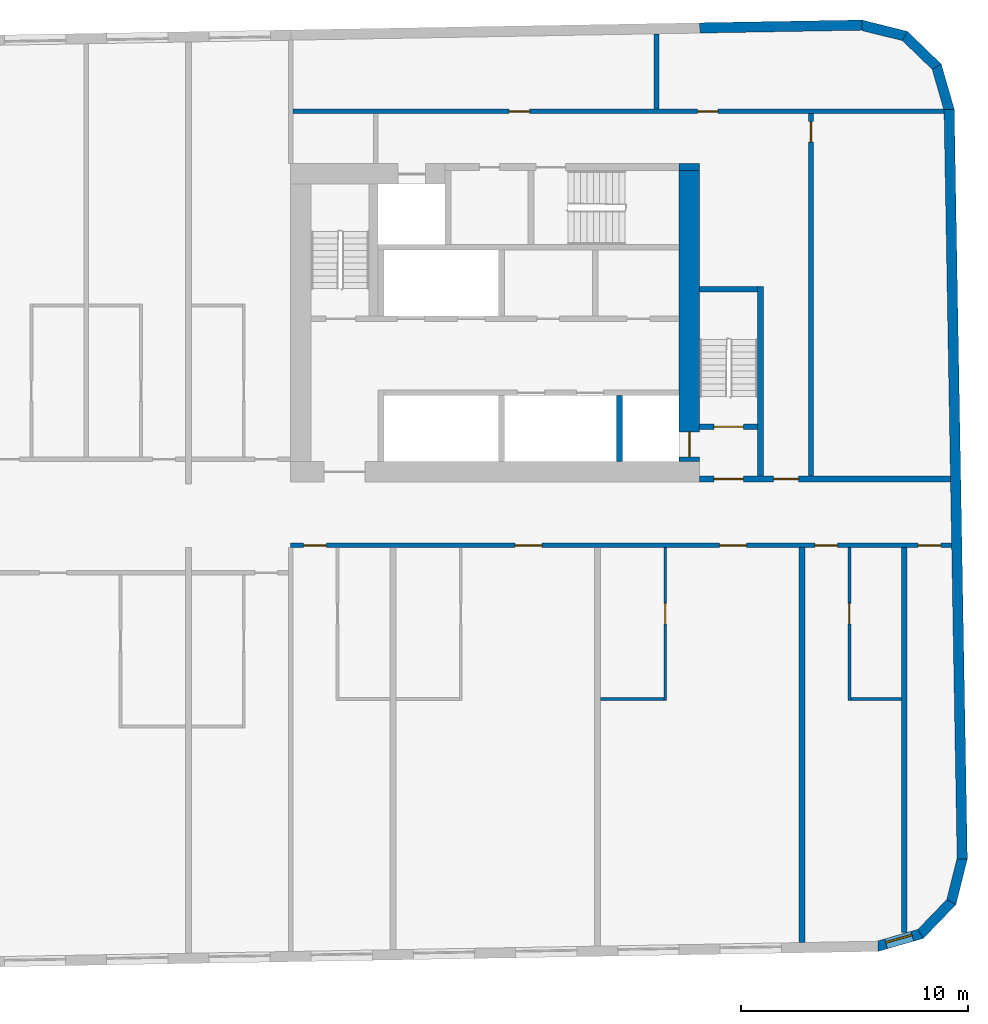
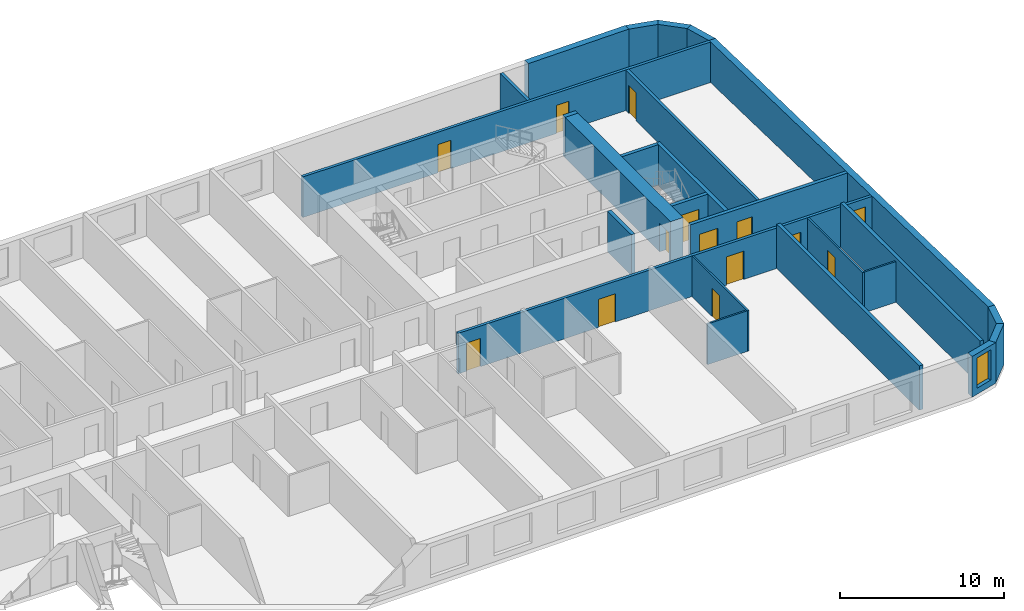
# One storey, part 7 of 11: 25 walls, 14 doors, 1 window, 15 openings.
"""IFC4 building model written with IfcOpenShell, lengths in metres."""

import ifcopenshell
import ifcopenshell.guid

model = None  # the IFC model being written
_history = None  # IfcOwnerHistory: only IFC2X3 demands one
_inside = {}  # id of a spatial element -> (the spatial element, [elements in it])
_under = {}  # id of a project, library or spatial element -> (it, [spatial elements below it])
_declared = {}  # id of a project -> (the project, [libraries it declares])
_typed = {}  # id of a type object -> (the type object, [elements of that type])
_made_of = {}  # id of a material, layer set ... -> (it, [elements and type objects made of it])


def new_model(schema):
    """Start an empty IFC model of exactly this schema.

    Asked for "IFC4X3", IfcOpenShell would pick the latest addendum, in which some entities
    have other attributes; the version numbers below select the first issue.
    IFC2X3 requires an IfcOwnerHistory on every rooted entity: one is made here for all.
    """
    global model, _history
    if schema == "IFC4X3":
        model = ifcopenshell.file(schema_version=(4, 3, 0, 0))
    else:
        model = ifcopenshell.file(schema=schema)
    _inside.clear()
    _under.clear()
    _declared.clear()
    _typed.clear()
    _made_of.clear()
    _history = None
    if model.schema == "IFC2X3":
        org = make("IfcOrganization", Name="unknown")
        user = make(
            "IfcPersonAndOrganization",
            ThePerson=make("IfcPerson", FamilyName="unknown"),
            TheOrganization=org,
        )
        app = make(
            "IfcApplication",
            ApplicationDeveloper=org,
            Version="unknown",
            ApplicationFullName="unknown",
            ApplicationIdentifier="unknown",
        )
        _history = make(
            "IfcOwnerHistory",
            OwningUser=user,
            OwningApplication=app,
            ChangeAction="ADDED",
            CreationDate=0,
        )
    return model


def make(cls, **values):
    """One entity of the class cls with the attributes given. An attribute that is None is left unset."""
    return model.create_entity(
        cls, **{name: value for name, value in values.items() if value is not None}
    )


def rooted(cls, **values):
    """An entity with a GlobalId (a new one), such as an element, a storey or a relation."""
    return make(cls, GlobalId=ifcopenshell.guid.new(), OwnerHistory=_history, **values)


def si_unit(unit_type, name, prefix=None):
    """IfcSIUnit, for example si_unit("LENGTHUNIT", "METRE", prefix="MILLI")."""
    return make("IfcSIUnit", UnitType=unit_type, Prefix=prefix, Name=name)


def assignment(units):
    """IfcUnitAssignment: the units of a project."""
    return None if units is None else make("IfcUnitAssignment", Units=units)


def point(xyz):
    """IfcCartesianPoint."""
    return None if xyz is None else make("IfcCartesianPoint", Coordinates=xyz)


def direction(xyz):
    """IfcDirection."""
    return None if xyz is None else make("IfcDirection", DirectionRatios=xyz)


def frame(location, z_axis=None, x_axis=None):
    """IfcAxis2Placement3D, a coordinate frame: its origin and axes. An axis left out is left unset."""
    return make(
        "IfcAxis2Placement3D",
        Location=point(location),
        Axis=direction(z_axis),
        RefDirection=direction(x_axis),
    )


def frame_2d(location, x_axis=None):
    """IfcAxis2Placement2D, a coordinate frame in the plane: its origin and x axis."""
    return make(
        "IfcAxis2Placement2D", Location=point(location), RefDirection=direction(x_axis)
    )


def origin():
    """The frame at (0, 0, 0) with its axes left unset."""
    return frame((0.0, 0.0, 0.0))


def place(relative_to, where):
    """IfcLocalPlacement: puts the frame where relative to a parent placement (None: the world)."""
    return make(
        "IfcLocalPlacement", PlacementRelTo=relative_to, RelativePlacement=where
    )


def context(
    kind, dimensions, precision=None, world=None, true_north=None, identifier=None
):
    """IfcGeometricRepresentationContext, for example the 3D "Model" context."""
    return make(
        "IfcGeometricRepresentationContext",
        ContextIdentifier=identifier,
        ContextType=kind,
        CoordinateSpaceDimension=dimensions,
        Precision=precision,
        WorldCoordinateSystem=world,
        TrueNorth=true_north,
    )


def subcontext(parent, identifier, kind, view, scale=None):
    """IfcGeometricRepresentationSubContext, for example "Body" below "Model"."""
    return make(
        "IfcGeometricRepresentationSubContext",
        ContextIdentifier=identifier,
        ContextType=kind,
        ParentContext=parent,
        TargetScale=scale,
        TargetView=view,
    )


def project(units=None, contexts=None):
    """IfcProject with its units and contexts."""
    return rooted(
        "IfcProject",
        Name="project",
        RepresentationContexts=contexts,
        UnitsInContext=assignment(units),
    )


def spatial(cls, under=None, at=None, **own):
    """A site, building, storey or space (cls), placed at a placement, below another one or the project."""
    s = rooted(cls, ObjectPlacement=at, **own)
    if under is not None:
        _under.setdefault(under.id(), (under, []))[1].append(s)
    return s


def polyline(points):
    """IfcPolyline through the points."""
    return make("IfcPolyline", Points=[point(p) for p in points])


def profile(cls, at=None, kind="AREA", **sizes):
    """A parametric profile (cls). Its sizes go by their IFC names, for example OverallWidth=200.0."""
    return make(cls, ProfileType=kind, Position=at, **sizes)


def rectangle(**sizes):
    """IfcRectangleProfileDef."""
    return profile("IfcRectangleProfileDef", **sizes)


def outline(outer, holes=None, kind="AREA"):
    """IfcArbitraryClosedProfileDef: a profile drawn as a closed curve; with holes, ...WithVoids."""
    if holes is None:
        return make("IfcArbitraryClosedProfileDef", ProfileType=kind, OuterCurve=outer)
    return make(
        "IfcArbitraryProfileDefWithVoids",
        ProfileType=kind,
        OuterCurve=outer,
        InnerCurves=holes,
    )


def extrude(swept, where, along, depth):
    """IfcExtrudedAreaSolid: the profile swept, set in the frame where, extruded along a direction by depth."""
    return make(
        "IfcExtrudedAreaSolid",
        SweptArea=swept,
        Position=where,
        ExtrudedDirection=direction(along),
        Depth=depth,
    )


def shape(context_of_items, identifier, shape_type, items):
    """IfcShapeRepresentation: the items that make up one representation, for example the "Body"."""
    return make(
        "IfcShapeRepresentation",
        ContextOfItems=context_of_items,
        RepresentationIdentifier=identifier,
        RepresentationType=shape_type,
        Items=items,
    )


def material(Name=None, Category=None):
    """IfcMaterial."""
    return make("IfcMaterial", Name=Name, Category=Category)


def layer(
    of_material, thickness, ventilated=None, Name=None, Category=None, Priority=None
):
    """IfcMaterialLayer: one layer of a wall or slab, of a material (None: an air gap)."""
    return make(
        "IfcMaterialLayer",
        Material=of_material,
        LayerThickness=thickness,
        IsVentilated=ventilated,
        Name=Name,
        Category=Category,
        Priority=Priority,
    )


def layer_set(layers, Name=None):
    """IfcMaterialLayerSet."""
    return make("IfcMaterialLayerSet", MaterialLayers=layers, LayerSetName=Name)


def made_of(thing, what):
    """Note that an element or type object is made of a material, layer set ...; save() writes the relation."""
    if what is not None:
        _made_of.setdefault(what.id(), (what, []))[1].append(thing)
    return thing


def type_object(cls, material=None, **own):
    """A type object (cls), such as IfcWallType, which elements share."""
    return made_of(rooted(cls, **own), material)


def element(
    cls,
    number,
    at=None,
    inside=None,
    cuts=None,
    type_object=None,
    material=None,
    context=None,
    identifier="Body",
    shape_type=None,
    held_by="IfcProductDefinitionShape",
    body=None,
    shapes=None,
    **own,
):
    """One element of the class cls, such as IfcWall. Its Tag is "e" and its number.

    at: its placement. inside: the storey or other place that contains it. cuts: it is an
    opening in that element (IfcRelVoidsElement). A single representation is given by context,
    identifier, shape_type and body (its items); several are given by shapes. held_by: the class
    of the entity that holds the representations. save() writes the other relations.
    """
    e = rooted(cls, Tag="e%d" % number, ObjectPlacement=at, **own)
    if body is not None:
        shapes = [shape(context, identifier, shape_type, body)]
    if shapes is not None:
        e.Representation = make(held_by, Representations=shapes)
    if inside is not None:
        _inside.setdefault(inside.id(), (inside, []))[1].append(e)
    if cuts is not None:
        rooted(
            "IfcRelVoidsElement", RelatingBuildingElement=cuts, RelatedOpeningElement=e
        )
    if type_object is not None:
        _typed.setdefault(type_object.id(), (type_object, []))[1].append(e)
    return made_of(e, material)


def fill(opening, filler):
    """IfcRelFillsElement: the door or window that sits in an opening."""
    return rooted(
        "IfcRelFillsElement",
        RelatingOpeningElement=opening,
        RelatedBuildingElement=filler,
    )


def aggregate(whole, parts):
    """IfcRelAggregates: a whole, such as a stair, and the parts it consists of."""
    return rooted("IfcRelAggregates", RelatingObject=whole, RelatedObjects=parts)


def save(model, path):
    """Write the relations noted so far, then the file.

    IfcRelAggregates (storeys below a building ...), IfcRelContainedInSpatialStructure (elements
    in a storey), IfcRelDefinesByType, IfcRelAssociatesMaterial and IfcRelDeclares: one each for
    every whole, place, type object, material and project.
    """
    for whole, parts in _under.values():
        aggregate(whole, parts)
    for where, things in _inside.values():
        rooted(
            "IfcRelContainedInSpatialStructure",
            RelatedElements=things,
            RelatingStructure=where,
        )
    for kind, things in _typed.values():
        rooted("IfcRelDefinesByType", RelatedObjects=things, RelatingType=kind)
    for what, things in _made_of.values():
        rooted("IfcRelAssociatesMaterial", RelatedObjects=things, RelatingMaterial=what)
    for by, libraries in _declared.values():
        rooted("IfcRelDeclares", RelatingContext=by, RelatedDefinitions=libraries)
    model.write(path)


model = new_model("IFC4")

# Units and contexts
model_context = context("Model", 3, precision=1e-05, world=origin(), true_north=direction((0.0, 1.0)))
body_context = subcontext(model_context, "Body", "Model", "MODEL_VIEW")
ifc_project = project(units=[si_unit("LENGTHUNIT", "METRE"), si_unit("AREAUNIT", "SQUARE_METRE"), si_unit("VOLUMEUNIT", "CUBIC_METRE"), si_unit("PLANEANGLEUNIT", "RADIAN"), si_unit("MASSUNIT", "GRAM", prefix="KILO")], contexts=[model_context])

# Site, building, storey
site_placement = place(None, origin())
site = spatial("IfcSite", under=ifc_project, at=site_placement, CompositionType="ELEMENT")
building_placement = place(site_placement, origin())
building = spatial("IfcBuilding", under=site, at=building_placement, Name="Kajstack Hotel Tower", CompositionType="ELEMENT")
storey_placement = place(building_placement, frame((0.0, 0.0, 221.0)))
storey = spatial("IfcBuildingStorey", under=building, at=storey_placement, Name="L53", CompositionType="ELEMENT", Elevation=221.0)

# Wall
ifc_material_1 = material(Name="Concrete C60/75", Category="concrete")
ifc_layer_1 = layer(ifc_material_1, 0.89990234375)
ifc_layer_set_1 = layer_set([ifc_layer_1], Name="Core wall 900")
wall_type_1 = type_object("IfcWallType", Name="Core wall 900", PredefinedType="SHEAR", material=ifc_layer_set_1)
wall_1_placement = place(storey_placement, frame((30.60009765625, 15.35009765625, 0.0), z_axis=(0.0, 0.0, 1.0), x_axis=(1.0, 0.0, 0.0)))
element("IfcWall", 1, at=wall_1_placement, inside=storey, type_object=wall_type_1, Name="Core wall E RSW", PredefinedType="SHEAR", context=body_context, shape_type="SweptSolid", body=[
    extrude(rectangle(XDim=0.89990234375, YDim=0.300048828125, at=frame_2d((0.449951171875, 0.0))), origin(), (0.0, 0.0, 1.0), 3.02001953125),
])

# Wall, opening, door
wall_2_placement = place(storey_placement, frame((31.050048828125, 2.39990234375, 0.0), z_axis=(0.0, 0.0, 1.0), x_axis=(0.0, 1.0, 0.0)))
wall_2 = element("IfcWall", 2, at=wall_2_placement, inside=storey, type_object=wall_type_1, Name="Core wall E RW", PredefinedType="SHEAR", context=body_context, shape_type="SweptSolid", body=[
    extrude(rectangle(XDim=12.800048828125, YDim=0.89990234375, at=frame_2d((6.39990234375, 0.0))), origin(), (0.0, 0.0, 1.0), 3.02001953125),
])
opening_1_placement = place(wall_2_placement, frame((0.199951171875, 0.0, 0.0)))
opening_1 = element("IfcOpeningElement", 3, at=opening_1_placement, cuts=wall_2, Name="Opening LD-FF2", PredefinedType="OPENING", context=body_context, shape_type="SweptSolid", body=[
    extrude(rectangle(XDim=1.10009765625, YDim=2.10009765625, at=frame_2d((0.550048828125, 1.050048828125))), frame((0.0, 0.4599609375, 0.0), z_axis=(0.0, -1.0, 0.0), x_axis=(1.0, 0.0, 0.0)), (0.0, 0.0, 1.0), 0.919921875),
])
ifc_material_2 = material(Name="Stainless steel", Category="steel")
door_type_1 = type_object("IfcDoorType", Name="Fire-fighting lift landing door 1100", OperationType="SLIDING_TO_LEFT", PredefinedType="DOOR", material=ifc_material_2)
door_1_placement = place(opening_1_placement, origin())
door_1 = element("IfcDoor", 4, at=door_1_placement, inside=storey, type_object=door_type_1, Name="Landing door FF2", OperationType="SLIDING_TO_LEFT", OverallHeight=2.10009765625, OverallWidth=1.10009765625, PredefinedType="DOOR", context=body_context, shape_type="SweptSolid", body=[
    extrude(rectangle(XDim=1.10009765625, YDim=2.10009765625, at=frame_2d((0.550048828125, 1.050048828125))), frame((0.0, 0.02490234375, 0.0), z_axis=(0.0, -1.0, 0.0), x_axis=(1.0, 0.0, 0.0)), (0.0, 0.0, 1.0), 0.050048828125),
])
fill(opening_1, door_1)

# Wall, openings, doors
ifc_material_3 = material(Name="Gypsum board on steel studs, mineral wool", Category="steel")
ifc_layer_2 = layer(ifc_material_3, 0.199951171875)
ifc_layer_set_2 = layer_set([ifc_layer_2], Name="Corridor wall 200")
wall_type_2 = type_object("IfcWallType", Name="Corridor wall 200", PredefinedType="PARTITIONING", material=ifc_layer_set_2)
wall_3_placement = place(storey_placement, frame((13.5, -1.300048828125, 0.0), z_axis=(0.0, 0.0, 1.0), x_axis=(1.0, 0.0, 0.0)))
wall_3 = element("IfcWall", 5, at=wall_3_placement, inside=storey, type_object=wall_type_2, Name="G-wall-L53-030", PredefinedType="PARTITIONING", context=body_context, shape_type="SweptSolid", body=[
    extrude(rectangle(XDim=29.091064453125, YDim=0.199951171875, at=frame_2d((14.54541015625, 0.0))), origin(), (0.0, 0.0, 1.0), 3.02001953125),
])
opening_2_placement = place(wall_3_placement, frame((0.574951171875, 0.0, 0.0)))
opening_2 = element("IfcOpeningElement", 6, at=opening_2_placement, cuts=wall_3, Name="Opening 53029", PredefinedType="OPENING", context=body_context, shape_type="SweptSolid", body=[
    extrude(rectangle(XDim=1.0, YDim=2.10009765625, at=frame_2d((0.5, 1.050048828125))), frame((0.0, 0.10986328125, 0.0), z_axis=(0.0, -1.0, 0.0), x_axis=(1.0, 0.0, 0.0)), (0.0, 0.0, 1.0), 0.219970703125),
])
opening_3_placement = place(wall_3_placement, frame((9.862060546875, 0.0, 0.0)))
opening_3 = element("IfcOpeningElement", 7, at=opening_3_placement, cuts=wall_3, Name="Opening 53031", PredefinedType="OPENING", context=body_context, shape_type="SweptSolid", body=[
    extrude(rectangle(XDim=1.199951171875, YDim=2.10009765625, at=frame_2d((0.60009765625, 1.050048828125))), frame((0.0, 0.10986328125, 0.0), z_axis=(0.0, -1.0, 0.0), x_axis=(1.0, 0.0, 0.0)), (0.0, 0.0, 1.0), 0.219970703125),
])
opening_4_placement = place(wall_3_placement, frame((18.862060546875, 0.0, 0.0)))
opening_4 = element("IfcOpeningElement", 8, at=opening_4_placement, cuts=wall_3, Name="Opening 53033", PredefinedType="OPENING", context=body_context, shape_type="SweptSolid", body=[
    extrude(rectangle(XDim=1.199951171875, YDim=2.10009765625, at=frame_2d((0.60009765625, 1.050048828125))), frame((0.0, 0.10986328125, 0.0), z_axis=(0.0, -1.0, 0.0), x_axis=(1.0, 0.0, 0.0)), (0.0, 0.0, 1.0), 0.219970703125),
])
opening_5_placement = place(wall_3_placement, frame((23.074951171875, 0.0, 0.0)))
opening_5 = element("IfcOpeningElement", 9, at=opening_5_placement, cuts=wall_3, Name="Opening 53035", PredefinedType="OPENING", context=body_context, shape_type="SweptSolid", body=[
    extrude(rectangle(XDim=1.0, YDim=2.10009765625, at=frame_2d((0.5, 1.050048828125))), frame((0.0, 0.10986328125, 0.0), z_axis=(0.0, -1.0, 0.0), x_axis=(1.0, 0.0, 0.0)), (0.0, 0.0, 1.0), 0.219970703125),
])
opening_6_placement = place(wall_3_placement, frame((27.611083984375, 0.0, 0.0)))
opening_6 = element("IfcOpeningElement", 10, at=opening_6_placement, cuts=wall_3, Name="Opening 53037", PredefinedType="OPENING", context=body_context, shape_type="SweptSolid", body=[
    extrude(rectangle(XDim=1.0, YDim=2.39990234375, at=frame_2d((0.5, 1.199951171875))), frame((0.0, 0.10986328125, 0.0), z_axis=(0.0, -1.0, 0.0), x_axis=(1.0, 0.0, 0.0)), (0.0, 0.0, 1.0), 0.219970703125),
])
ifc_material_4 = material(Name="Oak veneer on timber core, fire-rated leaf", Category="wood")
door_type_2 = type_object("IfcDoorType", Name="Flat entrance door 1000", OperationType="SINGLE_SWING_LEFT", PredefinedType="DOOR", material=ifc_material_4)
door_2_placement = place(opening_2_placement, origin())
door_2 = element("IfcDoor", 11, at=door_2_placement, inside=storey, type_object=door_type_2, Name="G-door-L53-29", OperationType="SINGLE_SWING_LEFT", OverallHeight=2.10009765625, OverallWidth=1.0, PredefinedType="DOOR", context=body_context, shape_type="SweptSolid", body=[
    extrude(rectangle(XDim=1.0, YDim=2.10009765625, at=frame_2d((0.5, 1.050048828125))), frame((0.0, 0.02490234375, 0.0), z_axis=(0.0, -1.0, 0.0), x_axis=(1.0, 0.0, 0.0)), (0.0, 0.0, 1.0), 0.050048828125),
])
fill(opening_2, door_2)
door_3_placement = place(opening_5_placement, origin())
door_3 = element("IfcDoor", 12, at=door_3_placement, inside=storey, type_object=door_type_2, Name="G-door-L53-35", OperationType="SINGLE_SWING_LEFT", OverallHeight=2.10009765625, OverallWidth=1.0, PredefinedType="DOOR", context=body_context, shape_type="SweptSolid", body=[
    extrude(rectangle(XDim=1.0, YDim=2.10009765625, at=frame_2d((0.5, 1.050048828125))), frame((0.0, 0.02490234375, 0.0), z_axis=(0.0, -1.0, 0.0), x_axis=(1.0, 0.0, 0.0)), (0.0, 0.0, 1.0), 0.050048828125),
])
fill(opening_5, door_3)
door_type_3 = type_object("IfcDoorType", Name="Flat entrance door 1200", OperationType="SINGLE_SWING_LEFT", PredefinedType="DOOR", material=ifc_material_4)
door_4_placement = place(opening_3_placement, origin())
door_4 = element("IfcDoor", 13, at=door_4_placement, inside=storey, type_object=door_type_3, Name="G-door-L53-31", OperationType="SINGLE_SWING_LEFT", OverallHeight=2.10009765625, OverallWidth=1.199951171875, PredefinedType="DOOR", context=body_context, shape_type="SweptSolid", body=[
    extrude(rectangle(XDim=1.199951171875, YDim=2.10009765625, at=frame_2d((0.60009765625, 1.050048828125))), frame((0.0, 0.02490234375, 0.0), z_axis=(0.0, -1.0, 0.0), x_axis=(1.0, 0.0, 0.0)), (0.0, 0.0, 1.0), 0.050048828125),
])
fill(opening_3, door_4)
door_5_placement = place(opening_4_placement, origin())
door_5 = element("IfcDoor", 14, at=door_5_placement, inside=storey, type_object=door_type_3, Name="G-door-L53-33", OperationType="SINGLE_SWING_LEFT", OverallHeight=2.10009765625, OverallWidth=1.199951171875, PredefinedType="DOOR", context=body_context, shape_type="SweptSolid", body=[
    extrude(rectangle(XDim=1.199951171875, YDim=2.10009765625, at=frame_2d((0.60009765625, 1.050048828125))), frame((0.0, 0.02490234375, 0.0), z_axis=(0.0, -1.0, 0.0), x_axis=(1.0, 0.0, 0.0)), (0.0, 0.0, 1.0), 0.050048828125),
])
fill(opening_4, door_5)
ifc_material_5 = material(Name="Steel-faced door leaf, fire-rated", Category="steel")
door_type_4 = type_object("IfcDoorType", Name="Store door 1000", OperationType="SINGLE_SWING_LEFT", PredefinedType="DOOR", material=ifc_material_5)
door_6_placement = place(opening_6_placement, origin())
door_6 = element("IfcDoor", 15, at=door_6_placement, inside=storey, type_object=door_type_4, Name="G-door-L53-37", OperationType="SINGLE_SWING_LEFT", OverallHeight=2.39990234375, OverallWidth=1.0, PredefinedType="DOOR", context=body_context, shape_type="SweptSolid", body=[
    extrude(rectangle(XDim=1.0, YDim=2.39990234375, at=frame_2d((0.5, 1.199951171875))), frame((0.0, 0.02490234375, 0.0), z_axis=(0.0, -1.0, 0.0), x_axis=(1.0, 0.0, 0.0)), (0.0, 0.0, 1.0), 0.050048828125),
])
fill(opening_6, door_6)

# Wall, opening, window
ifc_material_6 = material(Name="Terracotta-faced brick masonry", Category="masonry")
ifc_layer_3 = layer(ifc_material_6, 0.449951171875)
ifc_layer_set_3 = layer_set([ifc_layer_3], Name="EW-TERRA")
wall_type_3 = type_object("IfcWallType", Name="EW-TERRA", PredefinedType="SOLIDWALL", material=ifc_layer_set_3)
wall_4_placement = place(storey_placement, frame((39.290283203125, -18.952392578125, 0.0), z_axis=(0.0, 0.0, 1.0), x_axis=(0.961247584925, 0.275686562016, 0.0)))
wall_4 = element("IfcWall", 16, at=wall_4_placement, inside=storey, type_object=wall_type_3, Name="E-wall-L53-05-00", PredefinedType="SOLIDWALL", context=body_context, shape_type="SweptSolid", body=[
    extrude(outline(polyline([(0.0, -0.224853515625), (2.070556640625, -0.22509765625), (1.949951171875, 0.224853515625), (0.12060546875, 0.22509765625), (0.0, -0.224853515625)])), origin(), (0.0, 0.0, 1.0), 3.02001953125),
])
opening_7_placement = place(wall_4_placement, frame((0.435302734375, 0.0, 0.449951171875)))
opening_7 = element("IfcOpeningElement", 17, at=opening_7_placement, cuts=wall_4, Name="Opening W3", PredefinedType="OPENING", context=body_context, shape_type="SweptSolid", body=[
    extrude(rectangle(XDim=1.199951171875, YDim=2.25, at=frame_2d((0.60009765625, 1.125))), frame((0.0, 0.23486328125, 0.0), z_axis=(0.0, -1.0, 0.0), x_axis=(1.0, 0.0, 0.0)), (0.0, 0.0, 1.0), 0.469970703125),
])
ifc_material_7 = material(Name="Timber-aluminium window, triple glazed", Category="wood")
window_type = type_object("IfcWindowType", Name="WG3", PartitioningType="SINGLE_PANEL", PredefinedType="WINDOW", material=ifc_material_7)
window_placement = place(opening_7_placement, origin())
window = element("IfcWindow", 18, at=window_placement, inside=storey, type_object=window_type, Name="Window W3 L53-05", OverallHeight=2.25, OverallWidth=1.199951171875, PartitioningType="SINGLE_PANEL", PredefinedType="WINDOW", context=body_context, shape_type="SweptSolid", body=[
    extrude(rectangle(XDim=1.199951171875, YDim=2.25, at=frame_2d((0.60009765625, 1.125))), frame((0.0, 0.090087890625, 0.0), z_axis=(0.0, -1.0, 0.0), x_axis=(1.0, 0.0, 0.0)), (0.0, 0.0, 1.0), 0.06005859375),
])
fill(opening_7, window)

# Walls
wall_5_placement = place(storey_placement, frame((41.1806640625, -18.441650390625, 0.0), z_axis=(0.0, 0.0, 1.0), x_axis=(0.694678672846, 0.719320193998, 0.0)))
element("IfcWall", 19, at=wall_5_placement, inside=storey, type_object=wall_type_3, Name="E-wall-L53-06-00", PredefinedType="SOLIDWALL", context=body_context, shape_type="SweptSolid", body=[
    extrude(outline(polyline([(0.0, -0.22509765625), (2.07080078125, -0.224853515625), (1.9501953125, 0.22509765625), (0.12060546875, 0.22509765625), (0.0, -0.22509765625)])), origin(), (0.0, 0.0, 1.0), 3.02001953125),
])
wall_6_placement = place(storey_placement, frame((42.562744140625, -17.053955078125, 0.0), z_axis=(0.0, 0.0, 1.0), x_axis=(0.241841950319, 0.970315655375, 0.0)))
element("IfcWall", 20, at=wall_6_placement, inside=storey, type_object=wall_type_3, Name="E-wall-L53-07-00", PredefinedType="SOLIDWALL", context=body_context, shape_type="SweptSolid", body=[
    extrude(outline(polyline([(0.0, -0.224853515625), (2.070556640625, -0.22509765625), (1.949951171875, 0.224853515625), (0.12060546875, 0.22509765625), (0.0, -0.224853515625)])), origin(), (0.0, 0.0, 1.0), 3.02001953125),
])
wall_7_placement = place(storey_placement, frame((43.056884765625, -15.103271484375, 0.0), z_axis=(0.0, 0.0, 1.0), x_axis=(-0.017452408953, 0.999847695112, 0.0)))
element("IfcWall", 21, at=wall_7_placement, inside=storey, type_object=wall_type_3, Name="E-wall-L53-08-00", PredefinedType="SOLIDWALL", context=body_context, shape_type="SweptSolid", body=[
    extrude(rectangle(XDim=33.0, YDim=0.449951171875, at=frame_2d((16.5, 0.0))), origin(), (0.0, 0.0, 1.0), 3.02001953125),
])
wall_8_placement = place(storey_placement, frame((42.489501953125, 17.83349609375, 0.0), z_axis=(0.0, 0.0, 1.0), x_axis=(-0.275546368831, 0.961287781377, 0.0)))
element("IfcWall", 22, at=wall_8_placement, inside=storey, type_object=wall_type_3, Name="E-wall-L53-09-00", PredefinedType="SOLIDWALL", context=body_context, shape_type="SweptSolid", body=[
    extrude(outline(polyline([(0.0, -0.22509765625), (2.070556640625, -0.224853515625), (1.949951171875, 0.22509765625), (0.12060546875, 0.224853515625), (0.0, -0.22509765625)])), origin(), (0.0, 0.0, 1.0), 3.02001953125),
])
wall_9_placement = place(storey_placement, frame((41.97900390625, 19.72412109375, 0.0), z_axis=(0.0, 0.0, 1.0), x_axis=(-0.719379111448, 0.694617660308, 0.0)))
element("IfcWall", 23, at=wall_9_placement, inside=storey, type_object=wall_type_3, Name="E-wall-L53-10-00", PredefinedType="SOLIDWALL", context=body_context, shape_type="SweptSolid", body=[
    extrude(outline(polyline([(0.0, -0.224853515625), (2.070556640625, -0.22509765625), (1.949951171875, 0.224853515625), (0.12060546875, 0.22509765625), (0.0, -0.224853515625)])), origin(), (0.0, 0.0, 1.0), 3.02001953125),
])
wall_10_placement = place(storey_placement, frame((40.59130859375, 21.10595703125, 0.0), z_axis=(0.0, 0.0, 1.0), x_axis=(-0.970287979719, 0.241952963225, 0.0)))
element("IfcWall", 24, at=wall_10_placement, inside=storey, type_object=wall_type_3, Name="E-wall-L53-11-00", PredefinedType="SOLIDWALL", context=body_context, shape_type="SweptSolid", body=[
    extrude(outline(polyline([(0.0, -0.22509765625), (2.070556640625, -0.224853515625), (1.949951171875, 0.22509765625), (0.12060546875, 0.224853515625), (0.0, -0.22509765625)])), origin(), (0.0, 0.0, 1.0), 3.02001953125),
])
wall_11_placement = place(storey_placement, frame((38.640625, 21.600341796875, 0.0), z_axis=(0.0, 0.0, 1.0), x_axis=(-0.999847245074, -0.017478172627, 0.0)))
element("IfcWall", 25, at=wall_11_placement, inside=storey, type_object=wall_type_3, Name="E-wall-L53-12-00", PredefinedType="SOLIDWALL", context=body_context, shape_type="SweptSolid", body=[
    extrude(rectangle(XDim=7.1376953125, YDim=0.449951171875, at=frame_2d((3.56884765625, 0.0))), origin(), (0.0, 0.0, 1.0), 3.02001953125),
])

# Wall, opening, door
ifc_material_8 = material(Name="Gypsum board and tiled backer on steel studs", Category="steel")
ifc_layer_4 = layer(ifc_material_8, 0.125)
ifc_layer_set_4 = layer_set([ifc_layer_4], Name="En-suite wall 125")
wall_type_4 = type_object("IfcWallType", Name="En-suite wall 125", PredefinedType="PARTITIONING", material=ifc_layer_set_4)
wall_12_placement = place(storey_placement, frame((29.988037109375, -8.125, 0.0), z_axis=(0.0, 0.0, 1.0), x_axis=(0.0, 1.0, 0.0)))
wall_12 = element("IfcWall", 26, at=wall_12_placement, inside=storey, type_object=wall_type_4, Name="G-wall-L53-044", PredefinedType="PARTITIONING", context=body_context, shape_type="SweptSolid", body=[
    extrude(rectangle(XDim=6.72509765625, YDim=0.125, at=frame_2d((3.362548828125, 0.0))), origin(), (0.0, 0.0, 1.0), 3.02001953125),
])
opening_8_placement = place(wall_12_placement, frame((3.375, 0.0, 0.0)))
opening_8 = element("IfcOpeningElement", 27, at=opening_8_placement, cuts=wall_12, Name="Opening 53034", PredefinedType="OPENING", context=body_context, shape_type="SweptSolid", body=[
    extrude(rectangle(XDim=0.89990234375, YDim=2.10009765625, at=frame_2d((0.449951171875, 1.050048828125))), frame((0.0, 0.072509765625, 0.0), z_axis=(0.0, -1.0, 0.0), x_axis=(1.0, 0.0, 0.0)), (0.0, 0.0, 1.0), 0.14501953125),
])
ifc_material_9 = material(Name="Painted timber door leaf", Category="wood")
door_type_5 = type_object("IfcDoorType", Name="Room door 900", OperationType="SINGLE_SWING_LEFT", PredefinedType="DOOR", material=ifc_material_9)
door_7_placement = place(opening_8_placement, origin())
door_7 = element("IfcDoor", 28, at=door_7_placement, inside=storey, type_object=door_type_5, Name="G-door-L53-34", OperationType="SINGLE_SWING_LEFT", OverallHeight=2.10009765625, OverallWidth=0.89990234375, PredefinedType="DOOR", context=body_context, shape_type="SweptSolid", body=[
    extrude(rectangle(XDim=0.89990234375, YDim=2.10009765625, at=frame_2d((0.449951171875, 1.050048828125))), frame((0.0, 0.02490234375, 0.0), z_axis=(0.0, -1.0, 0.0), x_axis=(1.0, 0.0, 0.0)), (0.0, 0.0, 1.0), 0.050048828125),
])
fill(opening_8, door_7)

# Wall
wall_13_placement = place(storey_placement, frame((27.125, -8.06201171875, 0.0), z_axis=(0.0, 0.0, 1.0), x_axis=(1.0, 0.0, 0.0)))
element("IfcWall", 29, at=wall_13_placement, inside=storey, type_object=wall_type_4, Name="G-wall-L53-045", PredefinedType="PARTITIONING", context=body_context, shape_type="SweptSolid", body=[
    extrude(rectangle(XDim=2.800048828125, YDim=0.125, at=frame_2d((1.39990234375, 0.0))), origin(), (0.0, 0.0, 1.0), 3.02001953125),
])

# Wall, opening, door
wall_14_placement = place(storey_placement, frame((38.0869140625, -8.125, 0.0), z_axis=(0.0, 0.0, 1.0), x_axis=(0.0, 1.0, 0.0)))
wall_14 = element("IfcWall", 30, at=wall_14_placement, inside=storey, type_object=wall_type_4, Name="G-wall-L53-046", PredefinedType="PARTITIONING", context=body_context, shape_type="SweptSolid", body=[
    extrude(rectangle(XDim=6.72509765625, YDim=0.125, at=frame_2d((3.362548828125, 0.0))), origin(), (0.0, 0.0, 1.0), 3.02001953125),
])
opening_9_placement = place(wall_14_placement, frame((3.375, 0.0, 0.0)))
opening_9 = element("IfcOpeningElement", 31, at=opening_9_placement, cuts=wall_14, Name="Opening 53036", PredefinedType="OPENING", context=body_context, shape_type="SweptSolid", body=[
    extrude(rectangle(XDim=0.89990234375, YDim=2.10009765625, at=frame_2d((0.449951171875, 1.050048828125))), frame((0.0, 0.072509765625, 0.0), z_axis=(0.0, -1.0, 0.0), x_axis=(1.0, 0.0, 0.0)), (0.0, 0.0, 1.0), 0.14501953125),
])
door_8_placement = place(opening_9_placement, origin())
door_8 = element("IfcDoor", 32, at=door_8_placement, inside=storey, type_object=door_type_5, Name="G-door-L53-36", OperationType="SINGLE_SWING_RIGHT", OverallHeight=2.10009765625, OverallWidth=0.89990234375, PredefinedType="DOOR", context=body_context, shape_type="SweptSolid", body=[
    extrude(rectangle(XDim=0.89990234375, YDim=2.10009765625, at=frame_2d((0.449951171875, 1.050048828125))), frame((0.0, 0.02490234375, 0.0), z_axis=(0.0, -1.0, 0.0), x_axis=(1.0, 0.0, 0.0)), (0.0, 0.0, 1.0), 0.050048828125),
])
fill(opening_9, door_8)

# Walls
wall_15_placement = place(storey_placement, frame((38.14990234375, -8.06201171875, 0.0), z_axis=(0.0, 0.0, 1.0), x_axis=(1.0, 0.0, 0.0)))
element("IfcWall", 33, at=wall_15_placement, inside=storey, type_object=wall_type_4, Name="G-wall-L53-047", PredefinedType="PARTITIONING", context=body_context, shape_type="SweptSolid", body=[
    extrude(rectangle(XDim=2.22509765625, YDim=0.125, at=frame_2d((1.112548828125, 0.0))), origin(), (0.0, 0.0, 1.0), 3.02001953125),
])
ifc_material_10 = material(Name="Concrete C45/55", Category="concrete")
ifc_layer_5 = layer(ifc_material_10, 0.25)
ifc_layer_set_5 = layer_set([ifc_layer_5], Name="RC cross wall 250 C45/55")
wall_type_5 = type_object("IfcWallType", Name="RC cross wall 250 C45/55", PredefinedType="SHEAR", material=ifc_layer_set_5)
wall_16_placement = place(storey_placement, frame((36.0, -18.764892578125, 0.0), z_axis=(0.0, 0.0, 1.0), x_axis=(0.0, 1.0, 0.0)))
element("IfcWall", 34, at=wall_16_placement, inside=storey, type_object=wall_type_5, Name="S-wall-L53-12", PredefinedType="SHEAR", context=body_context, shape_type="SweptSolid", body=[
    extrude(rectangle(XDim=17.364990234375, YDim=0.25, at=frame_2d((8.6826171875, 0.0))), origin(), (0.0, 0.0, 1.0), 3.300048828125),
])
wall_17_placement = place(storey_placement, frame((40.5, -18.3251953125, 0.0), z_axis=(0.0, 0.0, 1.0), x_axis=(0.0, 1.0, 0.0)))
element("IfcWall", 35, at=wall_17_placement, inside=storey, type_object=wall_type_5, Name="S-wall-L53-13", PredefinedType="SHEAR", context=body_context, shape_type="SweptSolid", body=[
    extrude(rectangle(XDim=16.92529296875, YDim=0.25, at=frame_2d((8.462646484375, 0.0))), origin(), (0.0, 0.0, 1.0), 3.300048828125),
])

# Wall, openings, doors
ifc_layer_6 = layer(ifc_material_3, 0.199951171875)
ifc_layer_set_6 = layer_set([ifc_layer_6], Name="Service partition 200")
wall_type_6 = type_object("IfcWallType", Name="Service partition 200", PredefinedType="PARTITIONING", material=ifc_layer_set_6)
wall_18_placement = place(storey_placement, frame((31.5, 1.625, 0.0), z_axis=(0.0, 0.0, 1.0), x_axis=(1.0, 0.0, 0.0)))
wall_18 = element("IfcWall", 36, at=wall_18_placement, inside=storey, type_object=wall_type_6, Name="Partition E SN", PredefinedType="PARTITIONING", context=body_context, shape_type="SweptSolid", body=[
    extrude(rectangle(XDim=11.039794921875, YDim=0.25, at=frame_2d((5.52001953125, 0.0))), origin(), (0.0, 0.0, 1.0), 3.02001953125),
])
opening_10_placement = place(wall_18_placement, frame((0.625, 0.0, 0.0)))
opening_10 = element("IfcOpeningElement", 37, at=opening_10_placement, cuts=wall_18, Name="Opening 53E08", PredefinedType="OPENING", context=body_context, shape_type="SweptSolid", body=[
    extrude(rectangle(XDim=1.300048828125, YDim=2.10009765625, at=frame_2d((0.64990234375, 1.050048828125))), frame((0.0, 0.135009765625, 0.0), z_axis=(0.0, -1.0, 0.0), x_axis=(1.0, 0.0, 0.0)), (0.0, 0.0, 1.0), 0.27001953125),
])
opening_11_placement = place(wall_18_placement, frame((3.25, 0.0, 0.0)))
opening_11 = element("IfcOpeningElement", 38, at=opening_11_placement, cuts=wall_18, Name="Opening 53E10", PredefinedType="OPENING", context=body_context, shape_type="SweptSolid", body=[
    extrude(rectangle(XDim=1.10009765625, YDim=2.10009765625, at=frame_2d((0.550048828125, 1.050048828125))), frame((0.0, 0.135009765625, 0.0), z_axis=(0.0, -1.0, 0.0), x_axis=(1.0, 0.0, 0.0)), (0.0, 0.0, 1.0), 0.27001953125),
])
ifc_material_11 = material(Name="Steel leaf, fire-rated", Category="steel")
door_type_6 = type_object("IfcDoorType", Name="Fire lobby door 1300", OperationType="SINGLE_SWING_LEFT", PredefinedType="DOOR", material=ifc_material_11)
door_9_placement = place(opening_10_placement, origin())
door_9 = element("IfcDoor", 39, at=door_9_placement, inside=storey, type_object=door_type_6, Name="Door 53E08", OperationType="SINGLE_SWING_LEFT", OverallHeight=2.10009765625, OverallWidth=1.300048828125, PredefinedType="DOOR", context=body_context, shape_type="SweptSolid", body=[
    extrude(rectangle(XDim=1.300048828125, YDim=2.10009765625, at=frame_2d((0.64990234375, 1.050048828125))), frame((0.0, 0.02490234375, 0.0), z_axis=(0.0, -1.0, 0.0), x_axis=(1.0, 0.0, 0.0)), (0.0, 0.0, 1.0), 0.050048828125),
])
fill(opening_10, door_9)
ifc_material_12 = material(Name="Timber leaf, fire-rated", Category="wood")
door_type_7 = type_object("IfcDoorType", Name="Service corridor door 1100", OperationType="SINGLE_SWING_LEFT", PredefinedType="DOOR", material=ifc_material_12)
door_10_placement = place(opening_11_placement, origin())
door_10 = element("IfcDoor", 40, at=door_10_placement, inside=storey, type_object=door_type_7, Name="Door 53E10", OperationType="SINGLE_SWING_LEFT", OverallHeight=2.10009765625, OverallWidth=1.10009765625, PredefinedType="DOOR", context=body_context, shape_type="SweptSolid", body=[
    extrude(rectangle(XDim=1.10009765625, YDim=2.10009765625, at=frame_2d((0.550048828125, 1.050048828125))), frame((0.0, 0.02490234375, 0.0), z_axis=(0.0, -1.0, 0.0), x_axis=(1.0, 0.0, 0.0)), (0.0, 0.0, 1.0), 0.050048828125),
])
fill(opening_11, door_10)

# Wall, opening, door
wall_19_placement = place(storey_placement, frame((36.39990234375, 1.75, 0.0), z_axis=(0.0, 0.0, 1.0), x_axis=(0.0, 1.0, 0.0)))
wall_19 = element("IfcWall", 41, at=wall_19_placement, inside=storey, type_object=wall_type_6, Name="Partition E WRE", PredefinedType="PARTITIONING", context=body_context, shape_type="SweptSolid", body=[
    extrude(rectangle(XDim=15.949951171875, YDim=0.199951171875, at=frame_2d((7.97509765625, 0.0))), origin(), (0.0, 0.0, 1.0), 3.02001953125),
])
opening_12_placement = place(wall_19_placement, frame((14.699951171875, 0.0, 0.0)))
opening_12 = element("IfcOpeningElement", 42, at=opening_12_placement, cuts=wall_19, Name="Opening 53E18", PredefinedType="OPENING", context=body_context, shape_type="SweptSolid", body=[
    extrude(rectangle(XDim=0.89990234375, YDim=2.10009765625, at=frame_2d((0.449951171875, 1.050048828125))), frame((0.0, 0.10986328125, 0.0), z_axis=(0.0, -1.0, 0.0), x_axis=(1.0, 0.0, 0.0)), (0.0, 0.0, 1.0), 0.219970703125),
])
door_type_8 = type_object("IfcDoorType", Name="Service door 900", OperationType="SINGLE_SWING_LEFT", PredefinedType="DOOR", material=ifc_material_12)
door_11_placement = place(opening_12_placement, origin())
door_11 = element("IfcDoor", 43, at=door_11_placement, inside=storey, type_object=door_type_8, Name="Door 53E18", OperationType="SINGLE_SWING_RIGHT", OverallHeight=2.10009765625, OverallWidth=0.89990234375, PredefinedType="DOOR", context=body_context, shape_type="SweptSolid", body=[
    extrude(rectangle(XDim=0.89990234375, YDim=2.10009765625, at=frame_2d((0.449951171875, 1.050048828125))), frame((0.0, 0.02490234375, 0.0), z_axis=(0.0, -1.0, 0.0), x_axis=(1.0, 0.0, 0.0)), (0.0, 0.0, 1.0), 0.050048828125),
])
fill(opening_12, door_11)

# Wall, openings, doors
wall_20_placement = place(storey_placement, frame((13.60009765625, 17.800048828125, 0.0), z_axis=(0.0, 0.0, 1.0), x_axis=(1.0, 0.0, 0.0)))
wall_20 = element("IfcWall", 44, at=wall_20_placement, inside=storey, type_object=wall_type_6, Name="Partition E SLN", PredefinedType="PARTITIONING", context=body_context, shape_type="SweptSolid", body=[
    extrude(rectangle(XDim=28.657470703125, YDim=0.199951171875, at=frame_2d((14.32861328125, 0.0))), origin(), (0.0, 0.0, 1.0), 3.02001953125),
])
opening_13_placement = place(wall_20_placement, frame((17.8125, 0.0, 0.0)))
opening_13 = element("IfcOpeningElement", 45, at=opening_13_placement, cuts=wall_20, Name="Opening 53E16", PredefinedType="OPENING", context=body_context, shape_type="SweptSolid", body=[
    extrude(rectangle(XDim=0.89990234375, YDim=2.10009765625, at=frame_2d((0.449951171875, 1.050048828125))), frame((0.0, 0.10986328125, 0.0), z_axis=(0.0, -1.0, 0.0), x_axis=(1.0, 0.0, 0.0)), (0.0, 0.0, 1.0), 0.219970703125),
])
opening_14_placement = place(wall_20_placement, frame((9.512451171875, 0.0, 0.0)))
opening_14 = element("IfcOpeningElement", 46, at=opening_14_placement, cuts=wall_20, Name="Opening 53E17", PredefinedType="OPENING", context=body_context, shape_type="SweptSolid", body=[
    extrude(rectangle(XDim=0.89990234375, YDim=2.10009765625, at=frame_2d((0.449951171875, 1.050048828125))), frame((0.0, 0.10986328125, 0.0), z_axis=(0.0, -1.0, 0.0), x_axis=(1.0, 0.0, 0.0)), (0.0, 0.0, 1.0), 0.219970703125),
])
door_12_placement = place(opening_13_placement, origin())
door_12 = element("IfcDoor", 47, at=door_12_placement, inside=storey, type_object=door_type_8, Name="Door 53E16", OperationType="SINGLE_SWING_LEFT", OverallHeight=2.10009765625, OverallWidth=0.89990234375, PredefinedType="DOOR", context=body_context, shape_type="SweptSolid", body=[
    extrude(rectangle(XDim=0.89990234375, YDim=2.10009765625, at=frame_2d((0.449951171875, 1.050048828125))), frame((0.0, 0.02490234375, 0.0), z_axis=(0.0, -1.0, 0.0), x_axis=(1.0, 0.0, 0.0)), (0.0, 0.0, 1.0), 0.050048828125),
])
fill(opening_13, door_12)
door_13_placement = place(opening_14_placement, origin())
door_13 = element("IfcDoor", 48, at=door_13_placement, inside=storey, type_object=door_type_8, Name="Door 53E17", OperationType="SINGLE_SWING_LEFT", OverallHeight=2.10009765625, OverallWidth=0.89990234375, PredefinedType="DOOR", context=body_context, shape_type="SweptSolid", body=[
    extrude(rectangle(XDim=0.89990234375, YDim=2.10009765625, at=frame_2d((0.449951171875, 1.050048828125))), frame((0.0, 0.02490234375, 0.0), z_axis=(0.0, -1.0, 0.0), x_axis=(1.0, 0.0, 0.0)), (0.0, 0.0, 1.0), 0.050048828125),
])
fill(opening_14, door_13)

# Walls
wall_21_placement = place(storey_placement, frame((29.60009765625, 17.89990234375, 0.0), z_axis=(0.0, 0.0, 1.0), x_axis=(0.0, 1.0, 0.0)))
element("IfcWall", 49, at=wall_21_placement, inside=storey, type_object=wall_type_6, Name="Partition E SLP0", PredefinedType="PARTITIONING", context=body_context, shape_type="SweptSolid", body=[
    extrude(rectangle(XDim=3.317626953125, YDim=0.199951171875, at=frame_2d((1.65869140625, 0.0))), origin(), (0.0, 0.0, 1.0), 3.02001953125),
])
ifc_material_13 = material(Name="Concrete C50/60", Category="concrete")
ifc_layer_7 = layer(ifc_material_13, 0.25)
ifc_layer_set_7 = layer_set([ifc_layer_7], Name="Shaft wall 250")
wall_type_7 = type_object("IfcWallType", Name="Shaft wall 250", PredefinedType="SHEAR", material=ifc_layer_set_7)
wall_22_placement = place(storey_placement, frame((27.97509765625, 2.39990234375, 0.0), z_axis=(0.0, 0.0, 1.0), x_axis=(0.0, 1.0, 0.0)))
element("IfcWall", 50, at=wall_22_placement, inside=storey, type_object=wall_type_7, Name="Core wall E AP0", PredefinedType="SHEAR", context=body_context, shape_type="SweptSolid", body=[
    extrude(rectangle(XDim=2.900146484375, YDim=0.25, at=frame_2d((1.4501953125, 0.0))), origin(), (0.0, 0.0, 1.0), 3.02001953125),
])

# Wall, opening, door
ifc_material_14 = material(Name="Concrete C40/50", Category="concrete")
ifc_layer_8 = layer(ifc_material_14, 0.25)
ifc_layer_set_8 = layer_set([ifc_layer_8], Name="Stair enclosure wall 250")
wall_type_8 = type_object("IfcWallType", Name="Stair enclosure wall 250", PredefinedType="SHEAR", material=ifc_layer_set_8)
wall_23_placement = place(storey_placement, frame((31.5, 3.925048828125, 0.0), z_axis=(0.0, 0.0, 1.0), x_axis=(1.0, 0.0, 0.0)))
wall_23 = element("IfcWall", 51, at=wall_23_placement, inside=storey, type_object=wall_type_8, Name="Core wall E W1N", PredefinedType="SHEAR", context=body_context, shape_type="SweptSolid", body=[
    extrude(rectangle(XDim=2.550048828125, YDim=0.25, at=frame_2d((1.27490234375, 0.0))), origin(), (0.0, 0.0, 1.0), 3.02001953125),
])
opening_15_placement = place(wall_23_placement, frame((0.625, 0.0, 0.0)))
opening_15 = element("IfcOpeningElement", 52, at=opening_15_placement, cuts=wall_23, Name="Opening 53E09", PredefinedType="OPENING", context=body_context, shape_type="SweptSolid", body=[
    extrude(rectangle(XDim=1.300048828125, YDim=2.10009765625, at=frame_2d((0.64990234375, 1.050048828125))), frame((0.0, 0.135009765625, 0.0), z_axis=(0.0, -1.0, 0.0), x_axis=(1.0, 0.0, 0.0)), (0.0, 0.0, 1.0), 0.27001953125),
])
door_type_9 = type_object("IfcDoorType", Name="Stair door 1300", OperationType="SINGLE_SWING_LEFT", PredefinedType="DOOR", material=ifc_material_11)
door_14_placement = place(opening_15_placement, origin())
door_14 = element("IfcDoor", 53, at=door_14_placement, inside=storey, type_object=door_type_9, Name="Door 53E09", OperationType="SINGLE_SWING_LEFT", OverallHeight=2.10009765625, OverallWidth=1.300048828125, PredefinedType="DOOR", context=body_context, shape_type="SweptSolid", body=[
    extrude(rectangle(XDim=1.300048828125, YDim=2.10009765625, at=frame_2d((0.64990234375, 1.050048828125))), frame((0.0, 0.02490234375, 0.0), z_axis=(0.0, -1.0, 0.0), x_axis=(1.0, 0.0, 0.0)), (0.0, 0.0, 1.0), 0.050048828125),
])
fill(opening_15, door_14)

# Walls
wall_24_placement = place(storey_placement, frame((34.175048828125, 1.75, 0.0), z_axis=(0.0, 0.0, 1.0), x_axis=(0.0, 1.0, 0.0)))
element("IfcWall", 54, at=wall_24_placement, inside=storey, type_object=wall_type_8, Name="Core wall E W1W", PredefinedType="SHEAR", context=body_context, shape_type="SweptSolid", body=[
    extrude(rectangle(XDim=8.35009765625, YDim=0.25, at=frame_2d((4.175048828125, 0.0))), origin(), (0.0, 0.0, 1.0), 3.02001953125),
])
wall_25_placement = place(storey_placement, frame((31.5, 9.97509765625, 0.0), z_axis=(0.0, 0.0, 1.0), x_axis=(1.0, 0.0, 0.0)))
element("IfcWall", 55, at=wall_25_placement, inside=storey, type_object=wall_type_8, Name="Core wall E W1S", PredefinedType="SHEAR", context=body_context, shape_type="SweptSolid", body=[
    extrude(rectangle(XDim=2.550048828125, YDim=0.25, at=frame_2d((1.27490234375, 0.0))), origin(), (0.0, 0.0, 1.0), 3.02001953125),
])

save(model, "model.ifc")
